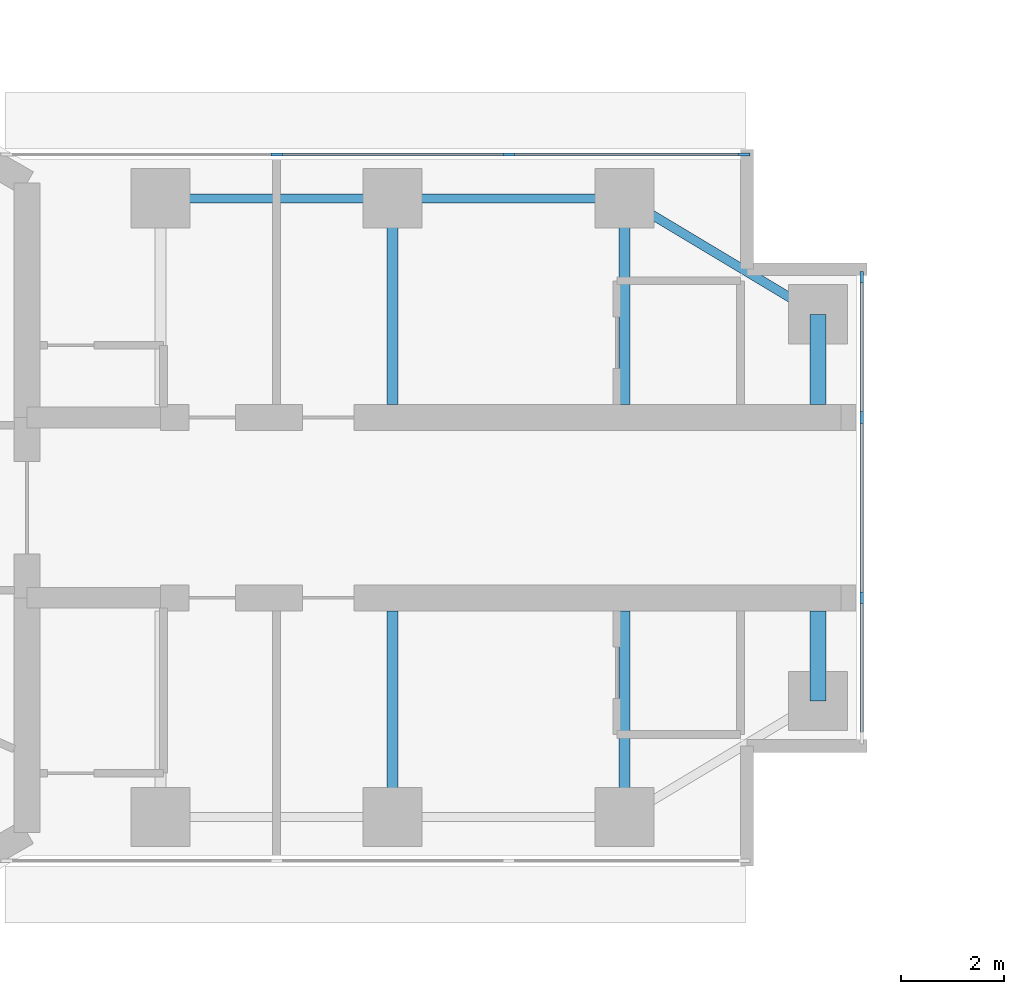
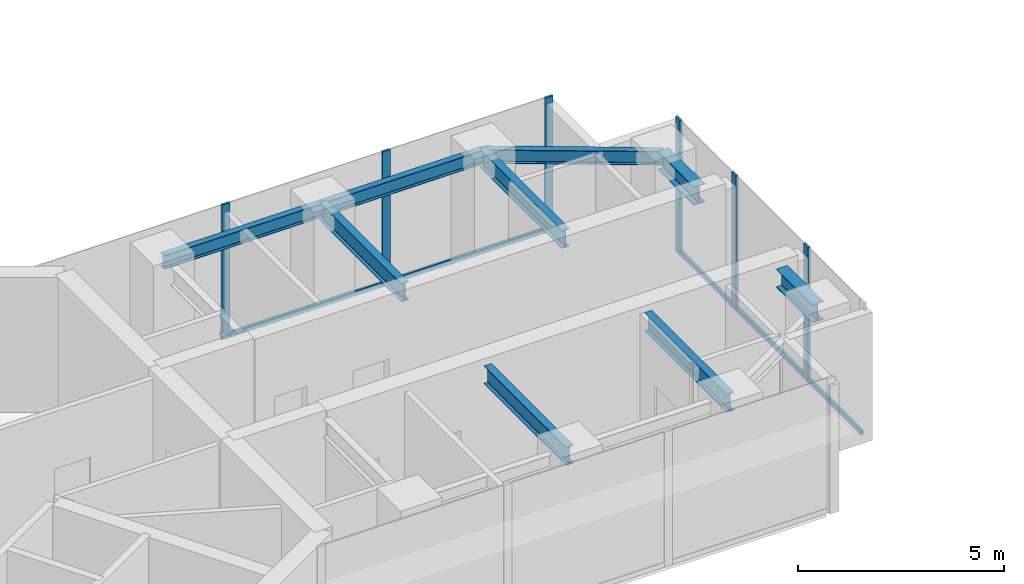
# One storey, part 7 of 17: 11 members, 9 beams, 2 elements without a shape of their own.
"""IFC4 building model written with IfcOpenShell, lengths in metres."""

from ifc_helpers import new_model, si_unit, direction, frame, origin, origin_2d, place, context, subcontext, project, spatial, rectangle, i_section, extrude, material, material_profile, profile_set, type_object, element, aggregate, save


model = new_model("IFC4")

# Units and contexts
model_context = context("Model", 3, precision=1e-05, world=origin(), true_north=direction((0.0, 1.0)))
body_context = subcontext(model_context, "Body", "Model", "MODEL_VIEW")
ifc_project = project(units=[si_unit("LENGTHUNIT", "METRE"), si_unit("AREAUNIT", "SQUARE_METRE"), si_unit("VOLUMEUNIT", "CUBIC_METRE"), si_unit("PLANEANGLEUNIT", "RADIAN"), si_unit("MASSUNIT", "GRAM", prefix="KILO")], contexts=[model_context])

# Site, building, storey
site_placement = place(None, origin())
site = spatial("IfcSite", under=ifc_project, at=site_placement, CompositionType="ELEMENT")
building_placement = place(site_placement, origin())
building = spatial("IfcBuilding", under=site, at=building_placement, Name="Upepo Twin Towers", CompositionType="ELEMENT")
storey_placement = place(building_placement, frame((0.0, 0.0, 198.5)))
storey = spatial("IfcBuildingStorey", under=building, at=storey_placement, Name="L48", CompositionType="ELEMENT", Elevation=198.5)

# Beams
ifc_material_1 = material(Name="Steel S355", Category="steel")
ifc_material_profile_1 = material_profile(ifc_material_1, i_section(OverallWidth=0.177978515625, OverallDepth=0.406494140625, WebThickness=0.0078125, FlangeThickness=0.0126953125, FilletRadius=0.01025390625, at=origin_2d()), Name="UB 406x178x60")
ifc_profile_set_1 = profile_set([ifc_material_profile_1], Name="Steel S355")
beam_type_1 = type_object("IfcBeamType", Name="Beam UB 406x178x60", PredefinedType="BEAM", material=ifc_profile_set_1)
for number, where, z_axis, x_axis, name in (
    (1, (13.5, 6.0, 3.5966796875), (1.0, 0.0, 0.0), (0.0, 1.0, 0.0), "T1 edge beam AL 13.5-18.0"),
    (2, (18.0, 6.0, 3.5966796875), (1.0, 0.0, 0.0), (0.0, 1.0, 0.0), "T1 edge beam AL 18.0-22.5"),
):
    element("IfcBeam", number, at=place(storey_placement, frame(where, z_axis=z_axis, x_axis=x_axis)), inside=storey, type_object=beam_type_1, Name=name, PredefinedType="BEAM", context=body_context, shape_type="SweptSolid", body=[
        extrude(i_section(OverallWidth=0.177978515625, OverallDepth=0.406494140625, WebThickness=0.0078125, FlangeThickness=0.0126953125, FilletRadius=0.01025390625, at=origin_2d()), origin(), (0.0, 0.0, 1.0), 4.5),
    ])
beam_placement = place(storey_placement, frame((22.5, 6.0, 3.5966796875), z_axis=(0.857492925713, -0.514495755428, 0.0), x_axis=(0.514495755428, 0.857492925713, 0.0)))
element("IfcBeam", 3, at=beam_placement, inside=storey, type_object=beam_type_1, Name="T1 nose edge beam AL", PredefinedType="BEAM", context=body_context, shape_type="SweptSolid", body=[
    extrude(i_section(OverallWidth=0.177978515625, OverallDepth=0.406494140625, WebThickness=0.0078125, FlangeThickness=0.0126953125, FilletRadius=0.01025390625, at=origin_2d()), origin(), (0.0, 0.0, 1.0), 4.373291015625),
])
ifc_material_2 = material(Name="Steel S355", Category="steel")
ifc_material_profile_2 = material_profile(ifc_material_2, i_section(OverallWidth=0.209228515625, OverallDepth=0.533203125, WebThickness=0.010009765625, FlangeThickness=0.015625, FilletRadius=0.0126953125, at=origin_2d()), Name="UB 533x210x92")
ifc_profile_set_2 = profile_set([ifc_material_profile_2], Name="Steel S355")
beam_type_2 = type_object("IfcBeamType", Name="Beam UB 533x210x92", PredefinedType="BEAM", material=ifc_profile_set_2)
for number, where, z_axis, x_axis, name in (
    (4, (18.0, 6.0, 3.533447265625), (0.0, -1.0, 0.0), (1.0, 0.0, 0.0), "T1 girder AL at 18.0"),
    (5, (22.5, 6.0, 3.533447265625), (0.0, -1.0, 0.0), (1.0, 0.0, 0.0), "T1 girder AL at 22.5"),
    (6, (18.0, -6.0, 3.533447265625), (0.0, 1.0, 0.0), (-1.0, 0.0, 0.0), "T1 girder AR at 18.0"),
    (7, (22.5, -6.0, 3.533447265625), (0.0, 1.0, 0.0), (-1.0, 0.0, 0.0), "T1 girder AR at 22.5"),
):
    element("IfcBeam", number, at=place(storey_placement, frame(where, z_axis=z_axis, x_axis=x_axis)), inside=storey, type_object=beam_type_2, Name=name, PredefinedType="BEAM", context=body_context, shape_type="SweptSolid", body=[
        extrude(i_section(OverallWidth=0.209228515625, OverallDepth=0.533203125, WebThickness=0.010009765625, FlangeThickness=0.015625, FilletRadius=0.0126953125, at=origin_2d()), origin(), (0.0, 0.0, 1.0), 4.0),
    ])
ifc_material_3 = material(Name="Steel S355", Category="steel")
ifc_material_profile_3 = material_profile(ifc_material_3, i_section(OverallWidth=0.31201171875, OverallDepth=0.54345703125, WebThickness=0.0126953125, FlangeThickness=0.020263671875, FilletRadius=0.0126953125, at=origin_2d()), Name="UB 533x312x150")
ifc_profile_set_3 = profile_set([ifc_material_profile_3], Name="Steel S355")
beam_type_3 = type_object("IfcBeamType", Name="Beam UB 533x312x150", PredefinedType="BEAM", material=ifc_profile_set_3)
for number, where, z_axis, x_axis, name in (
    (8, (26.25, 3.75, 3.5283203125), (0.0, -1.0, 0.0), (1.0, 0.0, 0.0), "T1 nose beam AL"),
    (9, (26.25, -3.75, 3.5283203125), (0.0, 1.0, 0.0), (-1.0, 0.0, 0.0), "T1 nose beam AR"),
):
    element("IfcBeam", number, at=place(storey_placement, frame(where, z_axis=z_axis, x_axis=x_axis)), inside=storey, type_object=beam_type_3, Name=name, PredefinedType="BEAM", context=body_context, shape_type="SweptSolid", body=[
        extrude(i_section(OverallWidth=0.31201171875, OverallDepth=0.54345703125, WebThickness=0.0126953125, FlangeThickness=0.020263671875, FilletRadius=0.0126953125, at=origin_2d()), origin(), (0.0, 0.0, 1.0), 1.75),
    ])

# Curtain wall, members
ifc_material_4 = material(Name="Aluminium and fritted glass", Category="aluminium")
curtain_wall_type = type_object("IfcCurtainWallType", Name="Tower curtain wall TW3, fritted glass", PredefinedType="NOTDEFINED", material=ifc_material_4)
curtain_wall_1_placement = place(storey_placement, origin())
curtain_wall_1 = element("IfcCurtainWall", 10, at=curtain_wall_1_placement, inside=storey, type_object=curtain_wall_type, Name="T1 L48 wing A flank L curtain wall", PredefinedType="NOTDEFINED")
ifc_material_5 = material(Name="Aluminium mullion", Category="aluminium")
ifc_material_profile_4 = material_profile(ifc_material_5, rectangle(XDim=0.06494140625, YDim=0.22509765625, at=origin_2d()), Name="MULLION 65x225")
ifc_profile_set_4 = profile_set([ifc_material_profile_4], Name="Aluminium mullion")
member_type_1 = type_object("IfcMemberType", Name="Mullion 65x225 TW3", PredefinedType="MULLION", material=ifc_profile_set_4)
member_1_placement = place(storey_placement, frame((15.75, 6.85009765625, 0.0), z_axis=(0.0, 0.0, 1.0), x_axis=(0.0, 1.0, 0.0)))
member_1 = element("IfcMember", 11, at=member_1_placement, type_object=member_type_1, Name="T1 L48 wing A flank L curtain wall mullion 2", PredefinedType="MULLION", context=body_context, shape_type="SweptSolid", body=[
    extrude(rectangle(XDim=0.06494140625, YDim=0.22509765625, at=origin_2d()), origin(), (0.0, 0.0, 1.0), 4.0),
])
member_2_placement = place(storey_placement, frame((20.25, 6.85009765625, 0.0), z_axis=(0.0, 0.0, 1.0), x_axis=(0.0, 1.0, 0.0)))
member_2 = element("IfcMember", 12, at=member_2_placement, type_object=member_type_1, Name="T1 L48 wing A flank L curtain wall mullion 3", PredefinedType="MULLION", context=body_context, shape_type="SweptSolid", body=[
    extrude(rectangle(XDim=0.06494140625, YDim=0.22509765625, at=origin_2d()), origin(), (0.0, 0.0, 1.0), 4.0),
])
member_3_placement = place(storey_placement, frame((24.8173828125, 6.85009765625, 0.0), z_axis=(0.0, 0.0, 1.0), x_axis=(0.0, 1.0, 0.0)))
member_3 = element("IfcMember", 13, at=member_3_placement, type_object=member_type_1, Name="T1 L48 wing A flank L curtain wall mullion 4", PredefinedType="MULLION", context=body_context, shape_type="SweptSolid", body=[
    extrude(rectangle(XDim=0.06494140625, YDim=0.22509765625, at=origin_2d()), origin(), (0.0, 0.0, 1.0), 4.0),
])

curtain_wall_2_placement = place(storey_placement, origin())
curtain_wall_2 = element("IfcCurtainWall", 14, at=curtain_wall_2_placement, inside=storey, type_object=curtain_wall_type, Name="T1 L48 wing A nose curtain wall", PredefinedType="NOTDEFINED")
member_4_placement = place(storey_placement, frame((27.10009765625, -1.75, 0.0), z_axis=(0.0, 0.0, 1.0), x_axis=(-1.0, 0.0, 0.0)))
member_4 = element("IfcMember", 15, at=member_4_placement, type_object=member_type_1, Name="T1 L48 wing A nose curtain wall mullion 2", PredefinedType="MULLION", context=body_context, shape_type="SweptSolid", body=[
    extrude(rectangle(XDim=0.06494140625, YDim=0.22509765625, at=origin_2d()), origin(), (0.0, 0.0, 1.0), 4.0),
])
member_5_placement = place(storey_placement, frame((27.10009765625, 1.75, 0.0), z_axis=(0.0, 0.0, 1.0), x_axis=(-1.0, 0.0, 0.0)))
member_5 = element("IfcMember", 16, at=member_5_placement, type_object=member_type_1, Name="T1 L48 wing A nose curtain wall mullion 3", PredefinedType="MULLION", context=body_context, shape_type="SweptSolid", body=[
    extrude(rectangle(XDim=0.06494140625, YDim=0.22509765625, at=origin_2d()), origin(), (0.0, 0.0, 1.0), 4.0),
])
member_6_placement = place(storey_placement, frame((27.10009765625, 4.467529296875, 0.0), z_axis=(0.0, 0.0, 1.0), x_axis=(-1.0, 0.0, 0.0)))
member_6 = element("IfcMember", 17, at=member_6_placement, type_object=member_type_1, Name="T1 L48 wing A nose curtain wall mullion 4", PredefinedType="MULLION", context=body_context, shape_type="SweptSolid", body=[
    extrude(rectangle(XDim=0.06494140625, YDim=0.22509765625, at=origin_2d()), origin(), (0.0, 0.0, 1.0), 4.0),
])

# Member
ifc_material_6 = material(Name="Aluminium transom", Category="aluminium")
ifc_material_profile_5 = material_profile(ifc_material_6, rectangle(XDim=0.06494140625, YDim=0.14990234375, at=origin_2d()), Name="TRANSOM 65x150")
ifc_profile_set_5 = profile_set([ifc_material_profile_5], Name="Aluminium transom")
member_type_2 = type_object("IfcMemberType", Name="Transom 65x150 TW3", PredefinedType="USERDEFINED", material=ifc_profile_set_5)
member_7_placement = place(storey_placement, frame((15.782470703125, 6.85009765625, 0.074951171875), z_axis=(1.0, 0.0, 0.0), x_axis=(0.0, 1.0, 0.0)))
member_7 = element("IfcMember", 18, at=member_7_placement, type_object=member_type_2, Name="T1 L48 wing A flank L curtain wall transom 2", ObjectType="TRANSOM", PredefinedType="USERDEFINED", context=body_context, shape_type="SweptSolid", body=[
    extrude(rectangle(XDim=0.06494140625, YDim=0.14990234375, at=origin_2d()), origin(), (0.0, 0.0, 1.0), 4.43505859375),
])

member_8_placement = place(storey_placement, frame((20.282470703125, 6.85009765625, 0.074951171875), z_axis=(1.0, 0.0, 0.0), x_axis=(0.0, 1.0, 0.0)))
member_8 = element("IfcMember", 19, at=member_8_placement, type_object=member_type_2, Name="T1 L48 wing A flank L curtain wall transom 3", ObjectType="TRANSOM", PredefinedType="USERDEFINED", context=body_context, shape_type="SweptSolid", body=[
    extrude(rectangle(XDim=0.06494140625, YDim=0.14990234375, at=origin_2d()), origin(), (0.0, 0.0, 1.0), 4.50244140625),
])

aggregate(curtain_wall_1, [member_1, member_2, member_3, member_7, member_8])

member_9_placement = place(storey_placement, frame((27.10009765625, -4.43505859375, 0.074951171875), z_axis=(0.0, 1.0, 0.0), x_axis=(-1.0, 0.0, 0.0)))
member_9 = element("IfcMember", 20, at=member_9_placement, type_object=member_type_2, Name="T1 L48 wing A nose curtain wall transom 1", ObjectType="TRANSOM", PredefinedType="USERDEFINED", context=body_context, shape_type="SweptSolid", body=[
    extrude(rectangle(XDim=0.06494140625, YDim=0.14990234375, at=origin_2d()), origin(), (0.0, 0.0, 1.0), 2.652587890625),
])

member_10_placement = place(storey_placement, frame((27.10009765625, -1.717529296875, 0.074951171875), z_axis=(0.0, 1.0, 0.0), x_axis=(-1.0, 0.0, 0.0)))
member_10 = element("IfcMember", 21, at=member_10_placement, type_object=member_type_2, Name="T1 L48 wing A nose curtain wall transom 2", ObjectType="TRANSOM", PredefinedType="USERDEFINED", context=body_context, shape_type="SweptSolid", body=[
    extrude(rectangle(XDim=0.06494140625, YDim=0.14990234375, at=origin_2d()), origin(), (0.0, 0.0, 1.0), 3.43505859375),
])

member_11_placement = place(storey_placement, frame((27.10009765625, 1.782470703125, 0.074951171875), z_axis=(0.0, 1.0, 0.0), x_axis=(-1.0, 0.0, 0.0)))
member_11 = element("IfcMember", 22, at=member_11_placement, type_object=member_type_2, Name="T1 L48 wing A nose curtain wall transom 3", ObjectType="TRANSOM", PredefinedType="USERDEFINED", context=body_context, shape_type="SweptSolid", body=[
    extrude(rectangle(XDim=0.06494140625, YDim=0.14990234375, at=origin_2d()), origin(), (0.0, 0.0, 1.0), 2.652587890625),
])

aggregate(curtain_wall_2, [member_4, member_5, member_6, member_9, member_10, member_11])

save(model, "model.ifc")
